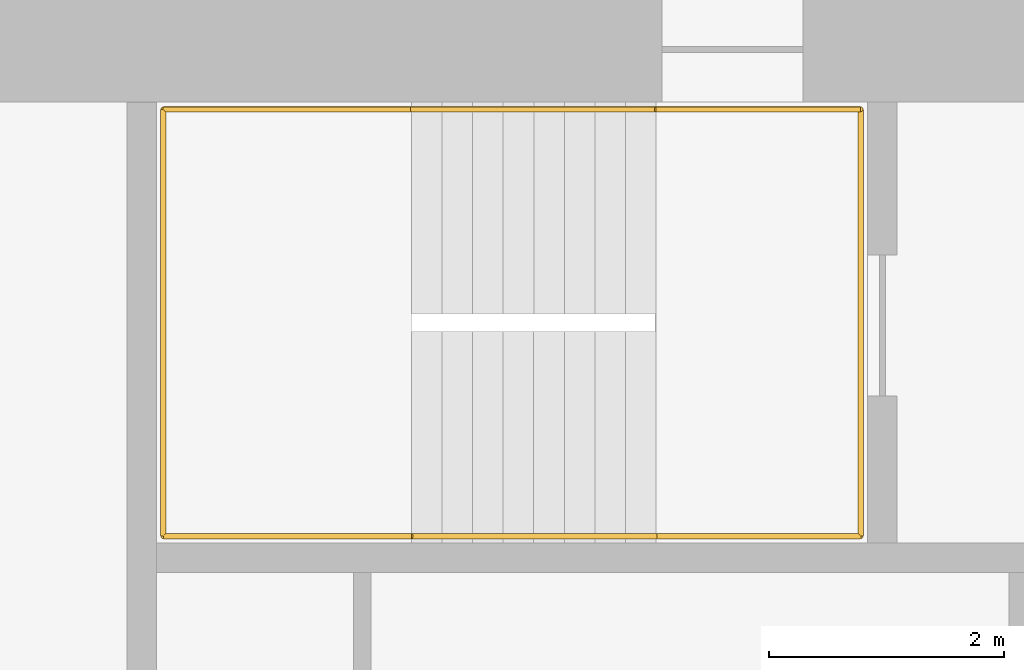
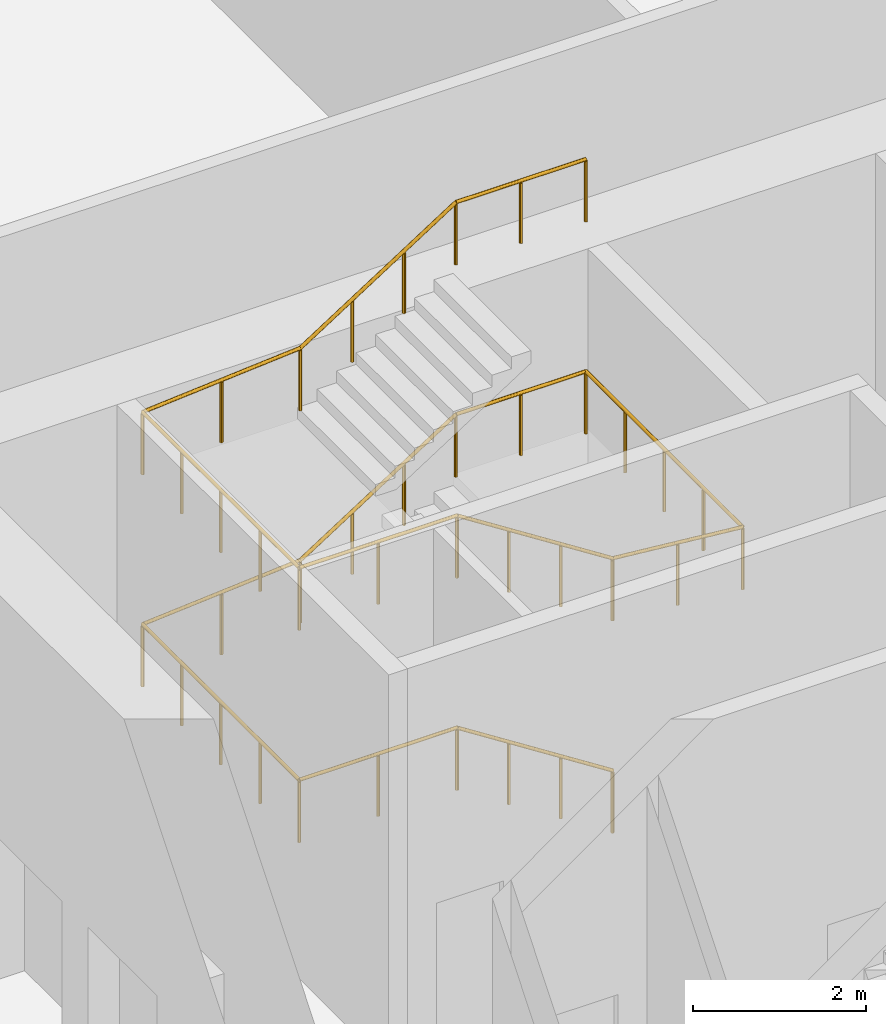
# One storey, part 35 of 35: 1 railing.
"""IFC4 building model written with IfcOpenShell, lengths in metres."""

from ifc_helpers import new_model, si_unit, direction, frame, origin, origin_2d, place, context, subcontext, project, spatial, circle, extrude, material, type_object, element, save


model = new_model("IFC4")

# Units and contexts
model_context = context("Model", 3, precision=1e-05, world=origin(), true_north=direction((0.0, 1.0)))
body_context = subcontext(model_context, "Body", "Model", "MODEL_VIEW")
ifc_project = project(units=[si_unit("LENGTHUNIT", "METRE"), si_unit("AREAUNIT", "SQUARE_METRE"), si_unit("VOLUMEUNIT", "CUBIC_METRE"), si_unit("PLANEANGLEUNIT", "RADIAN"), si_unit("MASSUNIT", "GRAM", prefix="KILO")], contexts=[model_context])

# Site, building, storey
site_placement = place(None, origin())
site = spatial("IfcSite", under=ifc_project, at=site_placement, CompositionType="ELEMENT")
building_placement = place(site_placement, origin())
building = spatial("IfcBuilding", under=site, at=building_placement, Name="Hakoniwa Tower and Hamabe Station Hall", CompositionType="ELEMENT")
storey_placement = place(building_placement, frame((0.0, 0.0, 270.60009765625)))
storey = spatial("IfcBuildingStorey", under=building, at=storey_placement, Name="L76", CompositionType="ELEMENT", Elevation=270.60009765625)

# Railing
ifc_material = material(Name="Stainless steel SUS304", Category="steel")
railing_type = type_object("IfcRailingType", Name="STAIR HANDRAIL 900", PredefinedType="HANDRAIL", material=ifc_material)
railing_placement = place(storey_placement, frame((24.39990234375, 3.81005859375, 0.16650390625)))
element("IfcRailing", 1, at=railing_placement, inside=storey, type_object=railing_type, Name="Handrail ST-3 L76 1", PredefinedType="HANDRAIL", context=body_context, shape_type="SweptSolid", body=[
    extrude(circle(Radius=0.02392578125, at=origin_2d()), frame((0.0, 0.0, 0.8759765625), z_axis=(-0.841829634381, 0.0, 0.539743334075), x_axis=(0.0, -1.0, 0.0)), (0.0, 0.0, 1.0), 2.470703125),
    extrude(circle(Radius=0.02392578125, at=origin_2d()), frame((-2.079833984375, 0.0, 2.20947265625), z_axis=(-1.0, 0.0, 0.0), x_axis=(0.0, -1.0, 0.0)), (0.0, 0.0, 1.0), 2.110107421875),
    extrude(circle(Radius=0.02392578125, at=origin_2d()), frame((-4.18994140625, 0.0, 2.20947265625), z_axis=(0.0, 1.0, 0.0), x_axis=(-1.0, 0.0, 0.0)), (0.0, 0.0, 1.0), 3.6298828125),
    extrude(circle(Radius=0.02392578125, at=origin_2d()), frame((-4.18994140625, 3.6298828125, 2.20947265625), z_axis=(0.99690124378, 0.0, 0.078663270653), x_axis=(0.0, 1.0, 0.0)), (0.0, 0.0, 1.0), 2.11669921875),
    extrude(circle(Radius=0.02392578125, at=origin_2d()), frame((-2.079833984375, 3.6298828125, 2.3759765625), z_axis=(0.841829634381, 0.0, 0.539743334075), x_axis=(0.0, 1.0, 0.0)), (0.0, 0.0, 1.0), 2.470703125),
    extrude(circle(Radius=0.02392578125, at=origin_2d()), frame((0.0, 3.6298828125, 3.70947265625), z_axis=(1.0, 0.0, 0.0), x_axis=(0.0, 1.0, 0.0)), (0.0, 0.0, 1.0), 1.739990234375),
    extrude(circle(Radius=0.02392578125, at=origin_2d()), frame((1.739990234375, 3.6298828125, 3.70947265625), z_axis=(0.0, -1.0, 0.0), x_axis=(1.0, 0.0, 0.0)), (0.0, 0.0, 1.0), 3.6298828125),
    extrude(circle(Radius=0.02392578125, at=origin_2d()), frame((1.739990234375, 0.0, 3.70947265625), z_axis=(-0.995452684975, 0.0, 0.095257293553), x_axis=(0.0, -1.0, 0.0)), (0.0, 0.0, 1.0), 1.748046875),
    extrude(circle(Radius=0.02392578125, at=origin_2d()), frame((0.0, 0.0, 3.8759765625), z_axis=(-0.841829634381, 0.0, 0.539743334075), x_axis=(0.0, -1.0, 0.0)), (0.0, 0.0, 1.0), 2.470703125),
    extrude(circle(Radius=0.02392578125, at=origin_2d()), frame((-2.079833984375, 0.0, 5.20947265625), z_axis=(-1.0, 0.0, 0.0), x_axis=(0.0, -1.0, 0.0)), (0.0, 0.0, 1.0), 2.110107421875),
    extrude(circle(Radius=0.02392578125, at=origin_2d()), frame((-4.18994140625, 0.0, 5.20947265625), z_axis=(0.0, 1.0, 0.0), x_axis=(-1.0, 0.0, 0.0)), (0.0, 0.0, 1.0), 3.6298828125),
    extrude(circle(Radius=0.02392578125, at=origin_2d()), frame((-4.18994140625, 3.6298828125, 5.20947265625), z_axis=(0.99690124378, 0.0, 0.078663270653), x_axis=(0.0, 1.0, 0.0)), (0.0, 0.0, 1.0), 2.11669921875),
    extrude(circle(Radius=0.02392578125, at=origin_2d()), frame((-2.079833984375, 3.6298828125, 5.3759765625), z_axis=(0.841829634381, 0.0, 0.539743334075), x_axis=(0.0, 1.0, 0.0)), (0.0, 0.0, 1.0), 2.470703125),
    extrude(circle(Radius=0.02392578125, at=origin_2d()), frame((0.0, 3.6298828125, 6.70947265625), z_axis=(1.0, 0.0, 0.0), x_axis=(0.0, 1.0, 0.0)), (0.0, 0.0, 1.0), 1.739990234375),
    extrude(circle(Radius=0.02099609375, at=origin_2d()), origin(), (0.0, 0.0, 1.0), 0.851806640625),
    extrude(circle(Radius=0.02099609375, at=origin_2d()), frame((-0.693359375, 0.0, 0.444580078125)), (0.0, 0.0, 1.0), 0.851806640625),
    extrude(circle(Radius=0.02099609375, at=origin_2d()), frame((-1.386474609375, 0.0, 0.888916015625)), (0.0, 0.0, 1.0), 0.851806640625),
    extrude(circle(Radius=0.02099609375, at=origin_2d()), frame((-2.079833984375, 0.0, 1.33349609375)), (0.0, 0.0, 1.0), 0.851806640625),
    extrude(circle(Radius=0.02099609375, at=origin_2d()), frame((-3.134765625, 0.0, 1.33349609375)), (0.0, 0.0, 1.0), 0.851806640625),
    extrude(circle(Radius=0.02099609375, at=origin_2d()), frame((-4.18994140625, 0.0, 1.33349609375)), (0.0, 0.0, 1.0), 0.851806640625),
    extrude(circle(Radius=0.02099609375, at=origin_2d()), frame((-4.18994140625, 0.907470703125, 1.33349609375)), (0.0, 0.0, 1.0), 0.851806640625),
    extrude(circle(Radius=0.02099609375, at=origin_2d()), frame((-4.18994140625, 1.81494140625, 1.33349609375)), (0.0, 0.0, 1.0), 0.851806640625),
    extrude(circle(Radius=0.02099609375, at=origin_2d()), frame((-4.18994140625, 2.722412109375, 1.33349609375)), (0.0, 0.0, 1.0), 0.851806640625),
    extrude(circle(Radius=0.02099609375, at=origin_2d()), frame((-4.18994140625, 3.6298828125, 1.33349609375)), (0.0, 0.0, 1.0), 0.851806640625),
    extrude(circle(Radius=0.02099609375, at=origin_2d()), frame((-3.134765625, 3.6298828125, 1.416748046875)), (0.0, 0.0, 1.0), 0.851806640625),
    extrude(circle(Radius=0.02099609375, at=origin_2d()), frame((-2.079833984375, 3.6298828125, 1.5)), (0.0, 0.0, 1.0), 0.851806640625),
    extrude(circle(Radius=0.02099609375, at=origin_2d()), frame((-1.386474609375, 3.6298828125, 1.944580078125)), (0.0, 0.0, 1.0), 0.851806640625),
    extrude(circle(Radius=0.02099609375, at=origin_2d()), frame((-0.693359375, 3.6298828125, 2.388916015625)), (0.0, 0.0, 1.0), 0.851806640625),
    extrude(circle(Radius=0.02099609375, at=origin_2d()), frame((0.0, 3.6298828125, 2.83349609375)), (0.0, 0.0, 1.0), 0.851806640625),
    extrude(circle(Radius=0.02099609375, at=origin_2d()), frame((0.8701171875, 3.6298828125, 2.83349609375)), (0.0, 0.0, 1.0), 0.851806640625),
    extrude(circle(Radius=0.02099609375, at=origin_2d()), frame((1.739990234375, 3.6298828125, 2.83349609375)), (0.0, 0.0, 1.0), 0.851806640625),
    extrude(circle(Radius=0.02099609375, at=origin_2d()), frame((1.739990234375, 2.722412109375, 2.83349609375)), (0.0, 0.0, 1.0), 0.851806640625),
    extrude(circle(Radius=0.02099609375, at=origin_2d()), frame((1.739990234375, 1.81494140625, 2.83349609375)), (0.0, 0.0, 1.0), 0.851806640625),
    extrude(circle(Radius=0.02099609375, at=origin_2d()), frame((1.739990234375, 0.907470703125, 2.83349609375)), (0.0, 0.0, 1.0), 0.851806640625),
    extrude(circle(Radius=0.02099609375, at=origin_2d()), frame((1.739990234375, 0.0, 2.83349609375)), (0.0, 0.0, 1.0), 0.851806640625),
    extrude(circle(Radius=0.02099609375, at=origin_2d()), frame((0.8701171875, 0.0, 2.916748046875)), (0.0, 0.0, 1.0), 0.851806640625),
    extrude(circle(Radius=0.02099609375, at=origin_2d()), frame((0.0, 0.0, 3.0)), (0.0, 0.0, 1.0), 0.851806640625),
    extrude(circle(Radius=0.02099609375, at=origin_2d()), frame((-0.693359375, 0.0, 3.444580078125)), (0.0, 0.0, 1.0), 0.851806640625),
    extrude(circle(Radius=0.02099609375, at=origin_2d()), frame((-1.386474609375, 0.0, 3.888916015625)), (0.0, 0.0, 1.0), 0.851806640625),
    extrude(circle(Radius=0.02099609375, at=origin_2d()), frame((-2.079833984375, 0.0, 4.33349609375)), (0.0, 0.0, 1.0), 0.851806640625),
    extrude(circle(Radius=0.02099609375, at=origin_2d()), frame((-3.134765625, 0.0, 4.33349609375)), (0.0, 0.0, 1.0), 0.851806640625),
    extrude(circle(Radius=0.02099609375, at=origin_2d()), frame((-4.18994140625, 0.0, 4.33349609375)), (0.0, 0.0, 1.0), 0.851806640625),
    extrude(circle(Radius=0.02099609375, at=origin_2d()), frame((-4.18994140625, 0.907470703125, 4.33349609375)), (0.0, 0.0, 1.0), 0.851806640625),
    extrude(circle(Radius=0.02099609375, at=origin_2d()), frame((-4.18994140625, 1.81494140625, 4.33349609375)), (0.0, 0.0, 1.0), 0.851806640625),
    extrude(circle(Radius=0.02099609375, at=origin_2d()), frame((-4.18994140625, 2.722412109375, 4.33349609375)), (0.0, 0.0, 1.0), 0.851806640625),
    extrude(circle(Radius=0.02099609375, at=origin_2d()), frame((-4.18994140625, 3.6298828125, 4.33349609375)), (0.0, 0.0, 1.0), 0.851806640625),
    extrude(circle(Radius=0.02099609375, at=origin_2d()), frame((-3.134765625, 3.6298828125, 4.416748046875)), (0.0, 0.0, 1.0), 0.851806640625),
    extrude(circle(Radius=0.02099609375, at=origin_2d()), frame((-2.079833984375, 3.6298828125, 4.5)), (0.0, 0.0, 1.0), 0.851806640625),
    extrude(circle(Radius=0.02099609375, at=origin_2d()), frame((-1.386474609375, 3.6298828125, 4.944580078125)), (0.0, 0.0, 1.0), 0.851806640625),
    extrude(circle(Radius=0.02099609375, at=origin_2d()), frame((-0.693359375, 3.6298828125, 5.388916015625)), (0.0, 0.0, 1.0), 0.851806640625),
    extrude(circle(Radius=0.02099609375, at=origin_2d()), frame((0.0, 3.6298828125, 5.83349609375)), (0.0, 0.0, 1.0), 0.851806640625),
    extrude(circle(Radius=0.02099609375, at=origin_2d()), frame((0.8701171875, 3.6298828125, 5.83349609375)), (0.0, 0.0, 1.0), 0.851806640625),
    extrude(circle(Radius=0.02099609375, at=origin_2d()), frame((1.739990234375, 3.6298828125, 5.83349609375)), (0.0, 0.0, 1.0), 0.851806640625),
])

save(model, "model.ifc")
